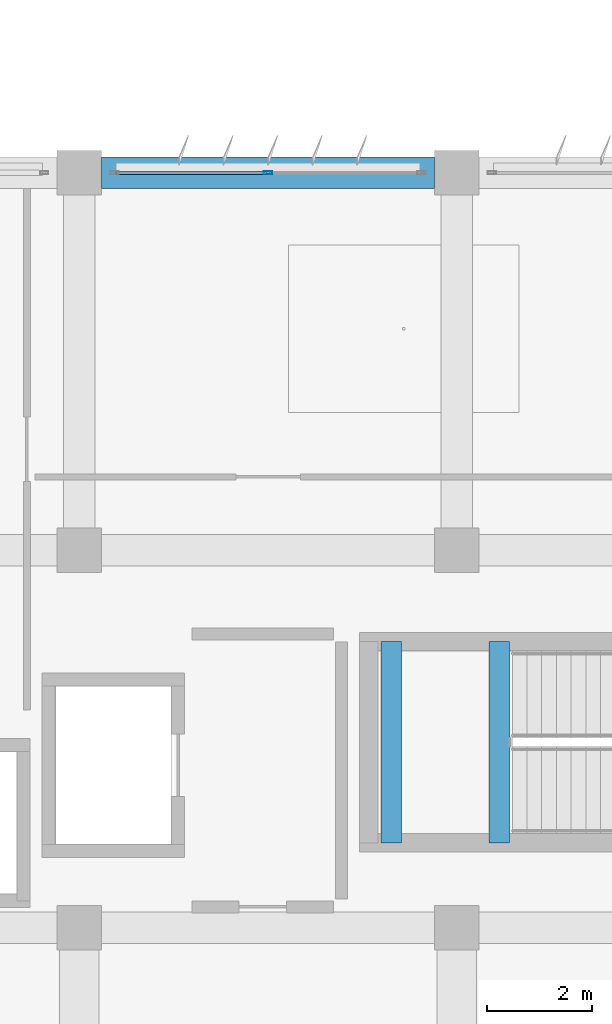
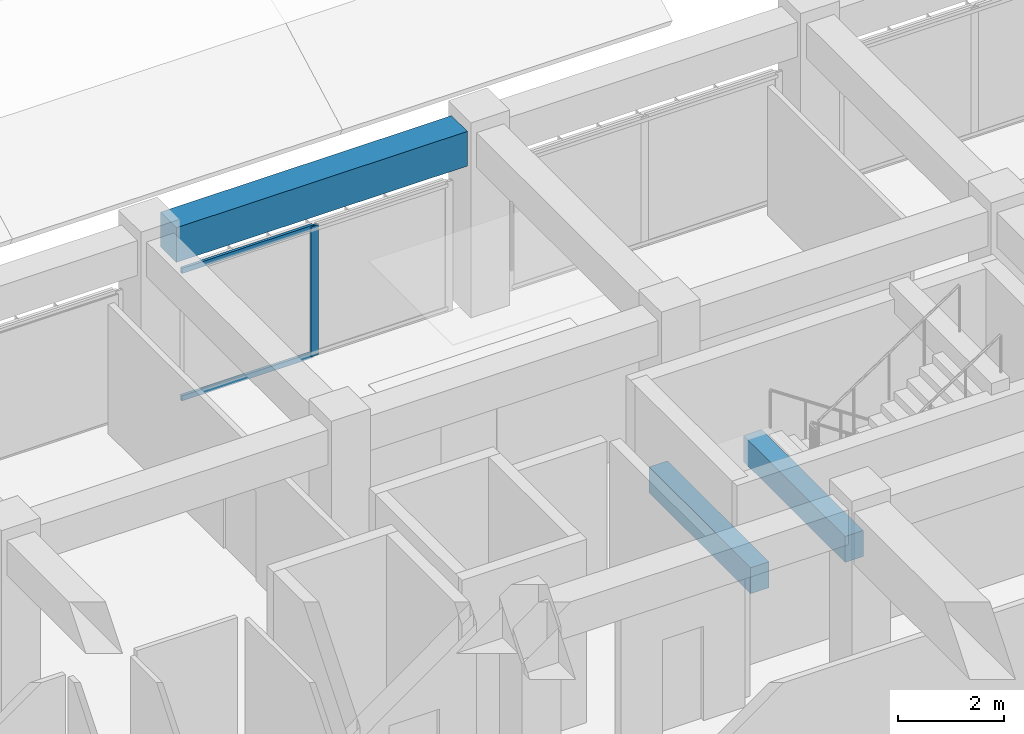
# One storey, part 23 of 56: 3 beams, 3 members, 1 element without a shape of its own.
"""IFC4 building model written with IfcOpenShell, lengths in metres."""

from ifc_helpers import new_model, si_unit, direction, frame, origin, origin_2d, place, context, subcontext, project, spatial, rectangle, hollow_rectangle, extrude, material, material_profile, profile_set, type_object, element, aggregate, save


model = new_model("IFC4")

# Units and contexts
model_context = context("Model", 3, precision=1e-05, world=origin(), true_north=direction((0.0, 1.0)))
body_context = subcontext(model_context, "Body", "Model", "MODEL_VIEW")
ifc_project = project(units=[si_unit("LENGTHUNIT", "METRE"), si_unit("AREAUNIT", "SQUARE_METRE"), si_unit("VOLUMEUNIT", "CUBIC_METRE"), si_unit("PLANEANGLEUNIT", "RADIAN"), si_unit("MASSUNIT", "GRAM", prefix="KILO")], contexts=[model_context])

# Site, building, storey
site_placement = place(None, origin())
site = spatial("IfcSite", under=ifc_project, at=site_placement, CompositionType="ELEMENT")
building_placement = place(site_placement, origin())
building = spatial("IfcBuilding", under=site, at=building_placement, Name="Kazehaya Institute of Natural Sciences", CompositionType="ELEMENT")
storey_placement = place(building_placement, frame((0.0, 0.0, 24.300048828125)))
storey = spatial("IfcBuildingStorey", under=building, at=storey_placement, Name="L05", CompositionType="ELEMENT", Elevation=24.300048828125)

# Beams
ifc_material_1 = material(Name="Concrete Fc36", Category="concrete")
ifc_material_profile_1 = material_profile(ifc_material_1, rectangle(XDim=0.39990234375, YDim=0.60009765625, at=origin_2d()), Name="RC-400x600")
ifc_profile_set_1 = profile_set([ifc_material_profile_1], Name="Concrete Fc36")
beam_type_1 = type_object("IfcBeamType", Name="BM-B-400x600", PredefinedType="BEAM", material=ifc_profile_set_1)
for number, where, z_axis, x_axis, name in (
    (1, (103.75, 22.820068359375, 1.7900390625), (0.0, 1.0, 0.0), (-1.0, 0.0, 0.0), "L05 ST-2 landing beam 1"),
    (2, (105.81005859375, 22.820068359375, 1.7900390625), (0.0, 1.0, 0.0), (-1.0, 0.0, 0.0), "L05 ST-2 landing beam 2"),
):
    element("IfcBeam", number, at=place(storey_placement, frame(where, z_axis=z_axis, x_axis=x_axis)), inside=storey, type_object=beam_type_1, Name=name, PredefinedType="BEAM", context=body_context, shape_type="SweptSolid", body=[
        extrude(rectangle(XDim=0.39990234375, YDim=0.60009765625, at=origin_2d()), origin(), (0.0, 0.0, 1.0), 3.83984375),
    ])
ifc_material_profile_2 = material_profile(ifc_material_1, rectangle(XDim=0.60009765625, YDim=0.800048828125, at=origin_2d()), Name="RC-600x800")
ifc_profile_set_2 = profile_set([ifc_material_profile_2], Name="Concrete Fc36")
beam_type_2 = type_object("IfcBeamType", Name="BM-G-600x800", PredefinedType="BEAM", material=ifc_profile_set_2)
beam_placement = place(storey_placement, frame((98.22509765625, 35.60009765625, 3.829833984375), z_axis=(1.0, 0.0, 0.0), x_axis=(0.0, 1.0, 0.0)))
element("IfcBeam", 3, at=beam_placement, inside=storey, type_object=beam_type_2, Name="L05 primary X girder BMX-L05-978-356", PredefinedType="BEAM", context=body_context, shape_type="SweptSolid", body=[
    extrude(rectangle(XDim=0.60009765625, YDim=0.800048828125, at=origin_2d()), origin(), (0.0, 0.0, 1.0), 6.349853515625),
])

# Curtain wall, members
ifc_material_2 = material(Name="Aluminium alloy A6063S-T5", Category="aluminium")
curtain_wall_type = type_object("IfcCurtainWallType", Name="CW-SYS-04", PredefinedType="NOTDEFINED", material=ifc_material_2)
curtain_wall_placement = place(storey_placement, origin())
curtain_wall = element("IfcCurtainWall", 4, at=curtain_wall_placement, inside=storey, type_object=curtain_wall_type, Name="L05 unitised curtain wall CW-L05-109", PredefinedType="NOTDEFINED")
ifc_material_profile_3 = material_profile(ifc_material_2, hollow_rectangle(XDim=0.06005859375, YDim=0.159912109375, WallThickness=0.00390625, at=origin_2d()), Name="ALU-60x160x4")
ifc_profile_set_3 = profile_set([ifc_material_profile_3], Name="Aluminium alloy A6063S-T5")
member_type_1 = type_object("IfcMemberType", Name="CWM-160", PredefinedType="MULLION", material=ifc_profile_set_3)
member_1_placement = place(storey_placement, frame((101.39990234375, 35.60009765625, 0.0), z_axis=(0.0, 0.0, 1.0), x_axis=(0.0, 1.0, 0.0)))
member_1 = element("IfcMember", 5, at=member_1_placement, type_object=member_type_1, Name="CW04 mullion 2", PredefinedType="MULLION", context=body_context, shape_type="SweptSolid", body=[
    extrude(hollow_rectangle(XDim=0.06005859375, YDim=0.159912109375, WallThickness=0.00390625, at=origin_2d()), origin(), (0.0, 0.0, 1.0), 3.0),
])
ifc_material_profile_4 = material_profile(ifc_material_2, hollow_rectangle(XDim=0.06005859375, YDim=0.1201171875, WallThickness=0.00341796875, at=origin_2d()), Name="ALU-60x120x3.5")
ifc_profile_set_4 = profile_set([ifc_material_profile_4], Name="Aluminium alloy A6063S-T5")
member_type_2 = type_object("IfcMemberType", Name="CWT-120", PredefinedType="USERDEFINED", material=ifc_profile_set_4)
member_2_placement = place(storey_placement, frame((98.5, 35.60009765625, 0.030029296875), z_axis=(1.0, 0.0, 0.0), x_axis=(0.0, 1.0, 0.0)))
member_2 = element("IfcMember", 6, at=member_2_placement, type_object=member_type_2, Name="CW04 transom 1.1", ObjectType="TRANSOM", PredefinedType="USERDEFINED", context=body_context, shape_type="SweptSolid", body=[
    extrude(hollow_rectangle(XDim=0.06005859375, YDim=0.1201171875, WallThickness=0.00341796875, at=origin_2d()), origin(), (0.0, 0.0, 1.0), 2.8701171875),
])
member_3_placement = place(storey_placement, frame((98.5, 35.60009765625, 2.969970703125), z_axis=(1.0, 0.0, 0.0), x_axis=(0.0, 1.0, 0.0)))
member_3 = element("IfcMember", 7, at=member_3_placement, type_object=member_type_2, Name="CW04 transom 1.2", ObjectType="TRANSOM", PredefinedType="USERDEFINED", context=body_context, shape_type="SweptSolid", body=[
    extrude(hollow_rectangle(XDim=0.06005859375, YDim=0.1201171875, WallThickness=0.00341796875, at=origin_2d()), origin(), (0.0, 0.0, 1.0), 2.8701171875),
])
aggregate(curtain_wall, [member_1, member_2, member_3])

save(model, "model.ifc")
